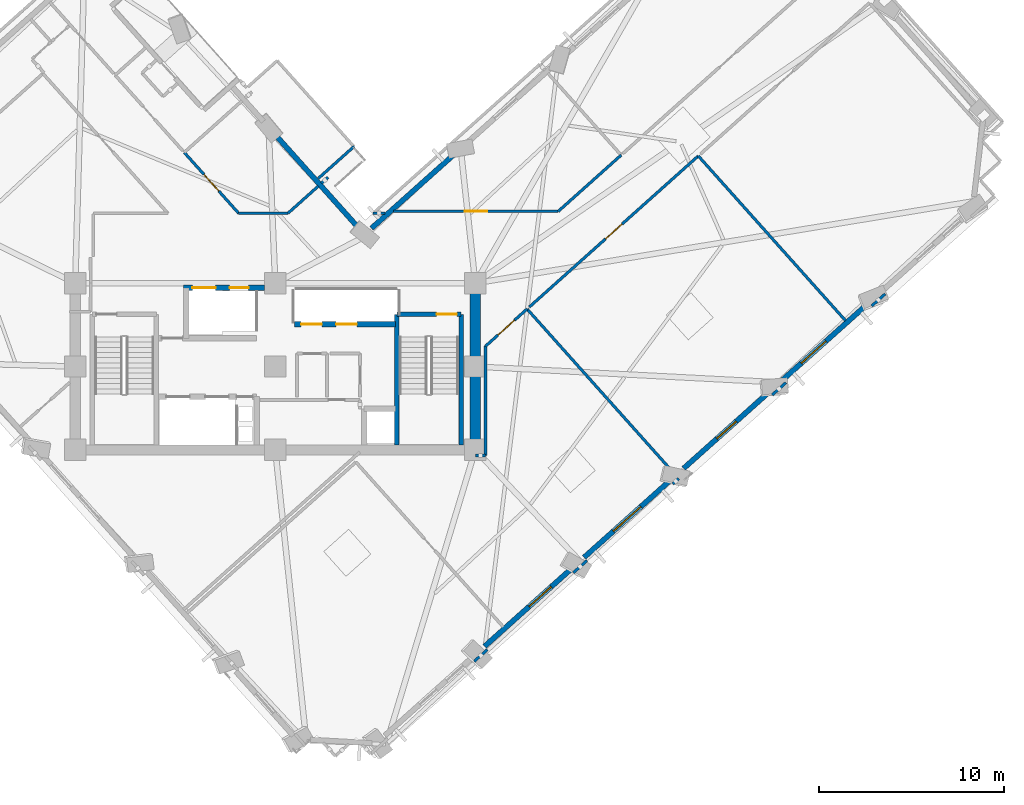
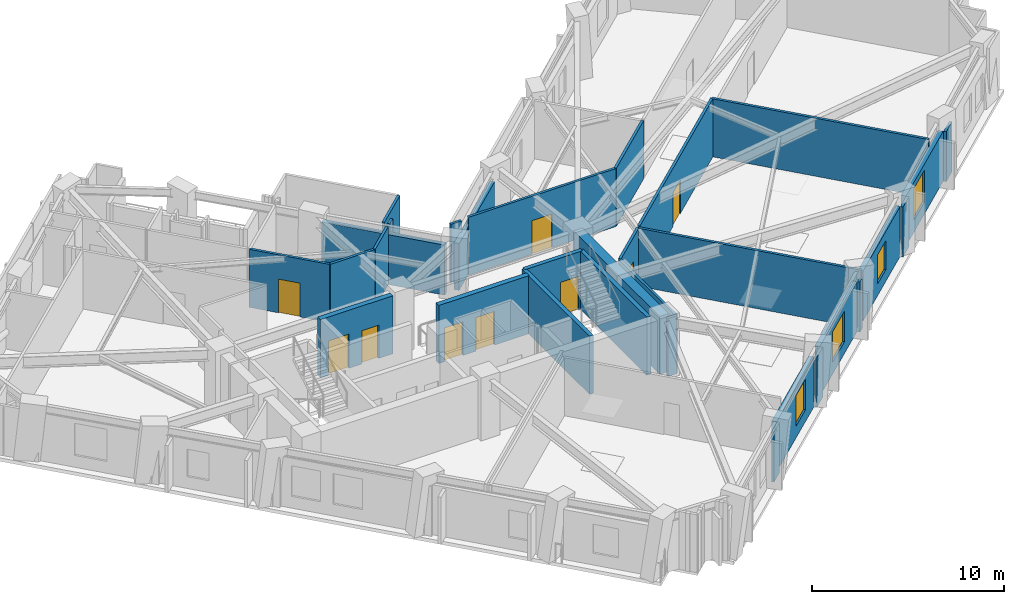
# One storey, part 7 of 14: 31 walls, 9 doors, 4 windows, 13 openings.
"""IFC4 building model written with IfcOpenShell, lengths in metres."""

from ifc_helpers import new_model, si_unit, direction, frame, frame_2d, origin, place, context, subcontext, project, spatial, rectangle, extrude, material, layer, layer_set, type_object, element, fill, save


model = new_model("IFC4")

# Units and contexts
model_context = context("Model", 3, precision=1e-05, world=origin(), true_north=direction((0.0, 1.0)))
body_context = subcontext(model_context, "Body", "Model", "MODEL_VIEW")
ifc_project = project(units=[si_unit("LENGTHUNIT", "METRE"), si_unit("AREAUNIT", "SQUARE_METRE"), si_unit("VOLUMEUNIT", "CUBIC_METRE"), si_unit("PLANEANGLEUNIT", "RADIAN"), si_unit("MASSUNIT", "GRAM", prefix="KILO")], contexts=[model_context])

# Site, building, storey
site_placement = place(None, origin())
site = spatial("IfcSite", under=ifc_project, at=site_placement, CompositionType="ELEMENT")
building_placement = place(site_placement, origin())
building = spatial("IfcBuilding", under=site, at=building_placement, Name="Gaonmaruhae Medical Tower", CompositionType="ELEMENT")
storey_placement = place(building_placement, frame((0.0, 0.0, 201.800048828125)))
storey = spatial("IfcBuildingStorey", under=building, at=storey_placement, Name="L48", CompositionType="ELEMENT", Elevation=201.800048828125)

# Wall
ifc_material_1 = material(Name="Concrete C50/60", Category="concrete")
ifc_layer_1 = layer(ifc_material_1, 0.550048828125)
ifc_layer_set_1 = layer_set([ifc_layer_1], Name="Concrete C50/60")
wall_type_1 = type_object("IfcWallType", Name="CW-550 Mid-High Core Shear Wall", PredefinedType="SHEAR", material=ifc_layer_set_1)
wall_1_placement = place(storey_placement, frame((35.60009765625, 7.800048828125, 0.0), z_axis=(0.0, 0.0, 1.0), x_axis=(0.0, 1.0, 0.0)))
element("IfcWall", 1, at=wall_1_placement, inside=storey, type_object=wall_type_1, Name="L48 Core Shear Wall CSW-E1", PredefinedType="SHEAR", context=body_context, shape_type="SweptSolid", body=[
    extrude(rectangle(XDim=9.0, YDim=0.550048828125, at=frame_2d((4.5, 0.0))), origin(), (0.0, 0.0, 1.0), 3.699951171875),
])

# Wall, opening, window
ifc_material_2 = material(Name="Precast concrete C45/55", Category="concrete")
ifc_layer_2 = layer(ifc_material_2, 0.280029296875)
ifc_layer_set_2 = layer_set([ifc_layer_2], Name="Precast concrete C45/55")
wall_type_2 = type_object("IfcWallType", Name="EW-280 Upper Precast Masonry-Frame Facade Wall", PredefinedType="SOLIDWALL", material=ifc_layer_set_2)
wall_2_placement = place(storey_placement, frame((40.748779296875, 1.344970703125, 0.0), z_axis=(0.0, 0.0, 1.0), x_axis=(-0.745478886319, -0.666529241708, 0.0)))
wall_2 = element("IfcWall", 2, at=wall_2_placement, inside=storey, type_object=wall_type_2, Name="L48 Precast Masonry-Frame Wall S02-S03", PredefinedType="SOLIDWALL", context=body_context, shape_type="SweptSolid", body=[
    extrude(rectangle(XDim=6.234130859375, YDim=0.280029296875, at=frame_2d((3.1171875, 0.0))), origin(), (0.0, 0.0, 1.0), 3.18505859375),
])
opening_1_placement = place(wall_2_placement, frame((1.406982421875, 0.0, 0.75)))
opening_1 = element("IfcOpeningElement", 3, at=opening_1_placement, cuts=wall_2, Name="Opening WN-01", PredefinedType="OPENING", context=body_context, shape_type="SweptSolid", body=[
    extrude(rectangle(XDim=1.60009765625, YDim=1.949951171875, at=frame_2d((0.800048828125, 0.97509765625))), frame((0.0, 0.14990234375, 0.0), z_axis=(0.0, -1.0, 0.0), x_axis=(1.0, 0.0, 0.0)), (0.0, 0.0, 1.0), 0.300048828125),
])
ifc_material_3 = material(Name="Anodised aluminium and Low-E double glazing", Category="aluminium")
window_type_1 = type_object("IfcWindowType", Name="WN-01 Ward Punched Acoustic Window 1600x1950", PartitioningType="SINGLE_PANEL", PredefinedType="WINDOW", material=ifc_material_3)
window_1_placement = place(opening_1_placement, origin())
window_1 = element("IfcWindow", 4, at=window_1_placement, inside=storey, type_object=window_type_1, Name="L48 Modular Facade Window S02", OverallHeight=1.949951171875, OverallWidth=1.60009765625, PartitioningType="SINGLE_PANEL", PredefinedType="WINDOW", context=body_context, shape_type="SweptSolid", body=[
    extrude(rectangle(XDim=1.60009765625, YDim=1.949951171875, at=frame_2d((0.800048828125, 0.97509765625))), frame((0.0, 0.030029296875, 0.0), z_axis=(0.0, -1.0, 0.0), x_axis=(1.0, 0.0, 0.0)), (0.0, 0.0, 1.0), 0.06005859375),
])
fill(opening_1, window_1)

wall_3_placement = place(storey_placement, frame((46.111083984375, 6.139404296875, 0.0), z_axis=(0.0, 0.0, 1.0), x_axis=(-0.745487869673, -0.66651919415, 0.0)))
wall_3 = element("IfcWall", 5, at=wall_3_placement, inside=storey, type_object=wall_type_2, Name="L48 Precast Masonry-Frame Wall S03-S04", PredefinedType="SOLIDWALL", context=body_context, shape_type="SweptSolid", body=[
    extrude(rectangle(XDim=6.214111328125, YDim=0.280029296875, at=frame_2d((3.10693359375, 0.0))), origin(), (0.0, 0.0, 1.0), 3.18505859375),
])
opening_2_placement = place(wall_3_placement, frame((2.105712890625, 0.0, 0.75)))
opening_2 = element("IfcOpeningElement", 6, at=opening_2_placement, cuts=wall_3, Name="Opening WN-02", PredefinedType="OPENING", context=body_context, shape_type="SweptSolid", body=[
    extrude(rectangle(XDim=2.0, YDim=1.949951171875, at=frame_2d((1.0, 0.97509765625))), frame((0.0, 0.14990234375, 0.0), z_axis=(0.0, -1.0, 0.0), x_axis=(1.0, 0.0, 0.0)), (0.0, 0.0, 1.0), 0.300048828125),
])
window_type_2 = type_object("IfcWindowType", Name="WN-02 Double-Bed Ward Punched Window 2000x1950", PartitioningType="SINGLE_PANEL", PredefinedType="WINDOW", material=ifc_material_3)
window_2_placement = place(opening_2_placement, origin())
window_2 = element("IfcWindow", 7, at=window_2_placement, inside=storey, type_object=window_type_2, Name="L48 Modular Facade Window S03", OverallHeight=1.949951171875, OverallWidth=2.0, PartitioningType="SINGLE_PANEL", PredefinedType="WINDOW", context=body_context, shape_type="SweptSolid", body=[
    extrude(rectangle(XDim=2.0, YDim=1.949951171875, at=frame_2d((1.0, 0.97509765625))), frame((0.0, 0.030029296875, 0.0), z_axis=(0.0, -1.0, 0.0), x_axis=(1.0, 0.0, 0.0)), (0.0, 0.0, 1.0), 0.06005859375),
])
fill(opening_2, window_2)

wall_4_placement = place(storey_placement, frame((51.47900390625, 10.93896484375, 0.0), z_axis=(0.0, 0.0, 1.0), x_axis=(-0.74547983873, -0.666528176484, 0.0)))
wall_4 = element("IfcWall", 8, at=wall_4_placement, inside=storey, type_object=wall_type_2, Name="L48 Precast Masonry-Frame Wall S04-S05", PredefinedType="SOLIDWALL", context=body_context, shape_type="SweptSolid", body=[
    extrude(rectangle(XDim=6.209228515625, YDim=0.280029296875, at=frame_2d((3.1044921875, 0.0))), origin(), (0.0, 0.0, 1.0), 3.18505859375),
])
opening_3_placement = place(wall_4_placement, frame((2.40478515625, 0.0, 0.75)))
opening_3 = element("IfcOpeningElement", 9, at=opening_3_placement, cuts=wall_4, Name="Opening WN-03", PredefinedType="OPENING", context=body_context, shape_type="SweptSolid", body=[
    extrude(rectangle(XDim=1.39990234375, YDim=1.85009765625, at=frame_2d((0.699951171875, 0.925048828125))), frame((0.0, 0.14990234375, 0.0), z_axis=(0.0, -1.0, 0.0), x_axis=(1.0, 0.0, 0.0)), (0.0, 0.0, 1.0), 0.300048828125),
])
window_type_3 = type_object("IfcWindowType", Name="WN-03 Isolation Ward Punched Window 1400x1850", PartitioningType="SINGLE_PANEL", PredefinedType="WINDOW", material=ifc_material_3)
window_3_placement = place(opening_3_placement, origin())
window_3 = element("IfcWindow", 10, at=window_3_placement, inside=storey, type_object=window_type_3, Name="L48 Modular Facade Window S04", OverallHeight=1.85009765625, OverallWidth=1.39990234375, PartitioningType="SINGLE_PANEL", PredefinedType="WINDOW", context=body_context, shape_type="SweptSolid", body=[
    extrude(rectangle(XDim=1.39990234375, YDim=1.85009765625, at=frame_2d((0.699951171875, 0.925048828125))), frame((0.0, 0.030029296875, 0.0), z_axis=(0.0, -1.0, 0.0), x_axis=(1.0, 0.0, 0.0)), (0.0, 0.0, 1.0), 0.06005859375),
])
fill(opening_3, window_3)

wall_5_placement = place(storey_placement, frame((56.85205078125, 15.7431640625, 0.0), z_axis=(0.0, 0.0, 1.0), x_axis=(-0.745463071049, -0.666546929857, 0.0)))
wall_5 = element("IfcWall", 11, at=wall_5_placement, inside=storey, type_object=wall_type_2, Name="L48 Precast Masonry-Frame Wall S05-S06", PredefinedType="SOLIDWALL", context=body_context, shape_type="SweptSolid", body=[
    extrude(rectangle(XDim=6.21826171875, YDim=0.280029296875, at=frame_2d((3.109130859375, 0.0))), origin(), (0.0, 0.0, 1.0), 3.18505859375),
])
opening_4_placement = place(wall_5_placement, frame((3.10498046875, 0.0, 0.75)))
opening_4 = element("IfcOpeningElement", 12, at=opening_4_placement, cuts=wall_5, Name="Opening WN-04", PredefinedType="OPENING", context=body_context, shape_type="SweptSolid", body=[
    extrude(rectangle(XDim=1.800048828125, YDim=2.050048828125, at=frame_2d((0.89990234375, 1.02490234375))), frame((0.0, 0.14990234375, 0.0), z_axis=(0.0, -1.0, 0.0), x_axis=(1.0, 0.0, 0.0)), (0.0, 0.0, 1.0), 0.300048828125),
])
window_type_4 = type_object("IfcWindowType", Name="WN-04 Clinic & Consult Punched Window 1800x2050", PartitioningType="SINGLE_PANEL", PredefinedType="WINDOW", material=ifc_material_3)
window_4_placement = place(opening_4_placement, origin())
window_4 = element("IfcWindow", 13, at=window_4_placement, inside=storey, type_object=window_type_4, Name="L48 Modular Facade Window S05", OverallHeight=2.050048828125, OverallWidth=1.800048828125, PartitioningType="SINGLE_PANEL", PredefinedType="WINDOW", context=body_context, shape_type="SweptSolid", body=[
    extrude(rectangle(XDim=1.800048828125, YDim=2.050048828125, at=frame_2d((0.89990234375, 1.02490234375))), frame((0.0, 0.030029296875, 0.0), z_axis=(0.0, -1.0, 0.0), x_axis=(1.0, 0.0, 0.0)), (0.0, 0.0, 1.0), 0.06005859375),
])
fill(opening_4, window_4)

# Walls
wall_6_placement = place(storey_placement, frame((29.993408203125, 19.764404296875, 0.0), z_axis=(0.0, 0.0, 1.0), x_axis=(0.745473758076, 0.666534977341, 0.0)))
element("IfcWall", 14, at=wall_6_placement, inside=storey, type_object=wall_type_2, Name="L48 Precast Masonry-Frame Wall EN03-KN01", PredefinedType="SOLIDWALL", context=body_context, shape_type="SweptSolid", body=[
    extrude(rectangle(XDim=5.959716796875, YDim=0.280029296875, at=frame_2d((2.97998046875, 0.0))), origin(), (0.0, 0.0, 1.0), 2.98486328125),
])
wall_7_placement = place(storey_placement, frame((29.322509765625, 19.757080078125, 0.0), z_axis=(0.0, 0.0, 1.0), x_axis=(-0.666530903335, 0.745477400663, 0.0)))
element("IfcWall", 15, at=wall_7_placement, inside=storey, type_object=wall_type_2, Name="L48 Precast Masonry-Frame Wall KN01-NE01", PredefinedType="SOLIDWALL", context=body_context, shape_type="SweptSolid", body=[
    extrude(rectangle(XDim=6.76025390625, YDim=0.280029296875, at=frame_2d((3.380126953125, 0.0))), origin(), (0.0, 0.0, 1.0), 3.18505859375),
])
ifc_material_4 = material(Name="Gypsum board partition", Category="gypsum")
ifc_layer_3 = layer(ifc_material_4, 0.14990234375)
ifc_layer_set_3 = layer_set([ifc_layer_3], Name="Gypsum board partition")
wall_type_3 = type_object("IfcWallType", Name="PW-150 Rated Clinical Corridor Partition", PredefinedType="PARTITIONING", material=ifc_layer_set_3)
wall_8_placement = place(storey_placement, frame((36.2548828125, -2.98193359375, 0.0), z_axis=(0.0, 0.0, 1.0), x_axis=(-0.745864843194, -0.666097316979, 0.0)))
element("IfcWall", 16, at=wall_8_placement, inside=storey, type_object=wall_type_3, Name="L48 Interior Partition L48-SUP01-13", PredefinedType="PARTITIONING", context=body_context, shape_type="SweptSolid", body=[
    extrude(rectangle(XDim=0.951904296875, YDim=0.14990234375, at=frame_2d((0.47607421875, 0.0))), origin(), (0.0, 0.0, 1.0), 3.18505859375),
])

# Wall, opening, door
wall_9_placement = place(storey_placement, frame((36.14990234375, 13.39697265625, 0.0), z_axis=(0.0, 0.0, 1.0), x_axis=(0.745328141311, 0.666697803934, 0.0)))
wall_9 = element("IfcWall", 17, at=wall_9_placement, inside=storey, type_object=wall_type_3, Name="L48 Interior Partition L48-SUP02-17", PredefinedType="PARTITIONING", context=body_context, shape_type="SweptSolid", body=[
    extrude(rectangle(XDim=3.014892578125, YDim=0.14990234375, at=frame_2d((1.50732421875, 0.0))), origin(), (0.0, 0.0, 1.0), 3.699951171875),
])
opening_5_placement = place(wall_9_placement, frame((0.907470703125, 0.0, 0.0)))
opening_5 = element("IfcOpeningElement", 18, at=opening_5_placement, cuts=wall_9, Name="Opening CD-02", PredefinedType="OPENING", context=body_context, shape_type="SweptSolid", body=[
    extrude(rectangle(XDim=1.199951171875, YDim=2.14990234375, at=frame_2d((0.60009765625, 1.074951171875))), frame((0.0, 0.0849609375, 0.0), z_axis=(0.0, -1.0, 0.0), x_axis=(1.0, 0.0, 0.0)), (0.0, 0.0, 1.0), 0.169921875),
])
ifc_material_5 = material(Name="Antimicrobial laminate timber fire door", Category="wood")
door_type_1 = type_object("IfcDoorType", Name="CD-02 Clinical Treatment & Procedure Door 1200x2150", OperationType="NOTDEFINED", PredefinedType="DOOR", material=ifc_material_5)
door_1_placement = place(opening_5_placement, origin())
door_1 = element("IfcDoor", 19, at=door_1_placement, inside=storey, type_object=door_type_1, Name="L48 Clinical Biomedical Charting Office Door", OperationType="SINGLE_SWING_LEFT", OverallHeight=2.14990234375, OverallWidth=1.199951171875, PredefinedType="DOOR", context=body_context, shape_type="SweptSolid", body=[
    extrude(rectangle(XDim=1.199951171875, YDim=2.14990234375, at=frame_2d((0.60009765625, 1.074951171875))), frame((0.0, 0.02490234375, 0.0), z_axis=(0.0, -1.0, 0.0), x_axis=(1.0, 0.0, 0.0)), (0.0, 0.0, 1.0), 0.050048828125),
])
fill(opening_5, door_1)

# Walls
wall_10_placement = place(storey_placement, frame((38.39697265625, 15.406982421875, 0.0), z_axis=(0.0, 0.0, 1.0), x_axis=(0.666510643465, -0.745495514505, 0.0)))
element("IfcWall", 20, at=wall_10_placement, inside=storey, type_object=wall_type_3, Name="L48 Interior Partition L48-SUP02-18", PredefinedType="PARTITIONING", context=body_context, shape_type="SweptSolid", body=[
    extrude(rectangle(XDim=12.280517578125, YDim=0.14990234375, at=frame_2d((6.14013671875, 0.0))), origin(), (0.0, 0.0, 1.0), 3.699951171875),
])
wall_11_placement = place(storey_placement, frame((46.58203125, 6.251953125, 0.0), z_axis=(0.0, 0.0, 1.0), x_axis=(-0.746049400441, -0.665890600701, 0.0)))
element("IfcWall", 21, at=wall_11_placement, inside=storey, type_object=wall_type_3, Name="L48 Interior Partition L48-SUP02-19", PredefinedType="PARTITIONING", context=body_context, shape_type="SweptSolid", body=[
    extrude(rectangle(XDim=0.426513671875, YDim=0.14990234375, at=frame_2d((0.21337890625, 0.0))), origin(), (0.0, 0.0, 1.0), 3.18505859375),
])
wall_12_placement = place(storey_placement, frame((41.632080078125, 1.825927734375, 0.0), z_axis=(0.0, 0.0, 1.0), x_axis=(-0.745893397616, -0.666065341684, 0.0)))
element("IfcWall", 22, at=wall_12_placement, inside=storey, type_object=wall_type_3, Name="L48 Interior Partition L48-SUP02-20", PredefinedType="PARTITIONING", context=body_context, shape_type="SweptSolid", body=[
    extrude(rectangle(XDim=0.978759765625, YDim=0.14990234375, at=frame_2d((0.4892578125, 0.0))), origin(), (0.0, 0.0, 1.0), 3.18505859375),
])
wall_13_placement = place(storey_placement, frame((35.60009765625, 7.5, 0.0), z_axis=(0.0, 0.0, 1.0), x_axis=(1.0, 0.0, 0.0)))
element("IfcWall", 23, at=wall_13_placement, inside=storey, type_object=wall_type_3, Name="L48 Interior Partition L48-SUP02-21", PredefinedType="PARTITIONING", context=body_context, shape_type="SweptSolid", body=[
    extrude(rectangle(XDim=0.5498046875, YDim=0.14990234375, at=frame_2d((0.27490234375, 0.0))), origin(), (0.0, 0.0, 1.0), 3.699951171875),
])
wall_14_placement = place(storey_placement, frame((36.14990234375, 7.5, 0.0), z_axis=(0.0, 0.0, 1.0), x_axis=(0.0, 1.0, 0.0)))
element("IfcWall", 24, at=wall_14_placement, inside=storey, type_object=wall_type_3, Name="L48 Interior Partition L48-SUP02-22", PredefinedType="PARTITIONING", context=body_context, shape_type="SweptSolid", body=[
    extrude(rectangle(XDim=5.89697265625, YDim=0.14990234375, at=frame_2d((2.948486328125, 0.0))), origin(), (0.0, 0.0, 1.0), 3.699951171875),
])

# Wall, opening, door
wall_15_placement = place(storey_placement, frame((38.51611328125, 15.512939453125, 0.0), z_axis=(0.0, 0.0, 1.0), x_axis=(0.745456187518, 0.666554628287, 0.0)))
wall_15 = element("IfcWall", 25, at=wall_15_placement, inside=storey, type_object=wall_type_3, Name="L48 Interior Partition L48-SUP03-23", PredefinedType="PARTITIONING", context=body_context, shape_type="SweptSolid", body=[
    extrude(rectangle(XDim=12.24072265625, YDim=0.14990234375, at=frame_2d((6.120361328125, 0.0))), origin(), (0.0, 0.0, 1.0), 3.699951171875),
])
opening_6_placement = place(wall_15_placement, frame((5.5205078125, 0.0, 0.0)))
opening_6 = element("IfcOpeningElement", 26, at=opening_6_placement, cuts=wall_15, Name="Opening CD-02", PredefinedType="OPENING", context=body_context, shape_type="SweptSolid", body=[
    extrude(rectangle(XDim=1.199951171875, YDim=2.14990234375, at=frame_2d((0.60009765625, 1.074951171875))), frame((0.0, 0.0849609375, 0.0), z_axis=(0.0, -1.0, 0.0), x_axis=(1.0, 0.0, 0.0)), (0.0, 0.0, 1.0), 0.169921875),
])
door_2_placement = place(opening_6_placement, origin())
door_2 = element("IfcDoor", 27, at=door_2_placement, inside=storey, type_object=door_type_1, Name="L48 Clinical Biomedical Charting Office Door", OperationType="SINGLE_SWING_RIGHT", OverallHeight=2.14990234375, OverallWidth=1.199951171875, PredefinedType="DOOR", context=body_context, shape_type="SweptSolid", body=[
    extrude(rectangle(XDim=1.199951171875, YDim=2.14990234375, at=frame_2d((0.60009765625, 1.074951171875))), frame((0.0, 0.02490234375, 0.0), z_axis=(0.0, -1.0, 0.0), x_axis=(1.0, 0.0, 0.0)), (0.0, 0.0, 1.0), 0.050048828125),
])
fill(opening_6, door_2)

# Walls
wall_16_placement = place(storey_placement, frame((47.64111328125, 23.672119140625, 0.0), z_axis=(0.0, 0.0, 1.0), x_axis=(0.666482690368, -0.745520505043, 0.0)))
element("IfcWall", 28, at=wall_16_placement, inside=storey, type_object=wall_type_3, Name="L48 Interior Partition L48-SUP03-24", PredefinedType="PARTITIONING", context=body_context, shape_type="SweptSolid", body=[
    extrude(rectangle(XDim=11.935546875, YDim=0.14990234375, at=frame_2d((5.9677734375, 0.0))), origin(), (0.0, 0.0, 1.0), 3.699951171875),
])
wall_17_placement = place(storey_placement, frame((52.3701171875, 11.427001953125, 0.0), z_axis=(0.0, 0.0, 1.0), x_axis=(-0.745950796246, -0.666001058243, 0.0)))
element("IfcWall", 29, at=wall_17_placement, inside=storey, type_object=wall_type_3, Name="L48 Interior Partition L48-SUP03-25", PredefinedType="PARTITIONING", context=body_context, shape_type="SweptSolid", body=[
    extrude(rectangle(XDim=0.989501953125, YDim=0.14990234375, at=frame_2d((0.49462890625, 0.0))), origin(), (0.0, 0.0, 1.0), 3.18505859375),
])
wall_18_placement = place(storey_placement, frame((57.73095703125, 16.219970703125, 0.0), z_axis=(0.0, 0.0, 1.0), x_axis=(-0.746106787817, -0.665826299551, 0.0)))
element("IfcWall", 30, at=wall_18_placement, inside=storey, type_object=wall_type_3, Name="L48 Interior Partition L48-SUP04-27", PredefinedType="PARTITIONING", context=body_context, shape_type="SweptSolid", body=[
    extrude(rectangle(XDim=0.97314453125, YDim=0.14990234375, at=frame_2d((0.486572265625, 0.0))), origin(), (0.0, 0.0, 1.0), 3.18505859375),
])
wall_19_placement = place(storey_placement, frame((30.73291015625, 20.580078125, 0.0), z_axis=(0.0, 0.0, 1.0), x_axis=(-1.0, 0.0, 0.0)))
element("IfcWall", 31, at=wall_19_placement, inside=storey, type_object=wall_type_3, Name="L48 Interior Partition L48-IE01-47", PredefinedType="PARTITIONING", context=body_context, shape_type="SweptSolid", body=[
    extrude(rectangle(XDim=0.65283203125, YDim=0.14990234375, at=frame_2d((0.326416015625, 0.0))), origin(), (0.0, 0.0, 1.0), 3.699951171875),
])
wall_20_placement = place(storey_placement, frame((43.47607421875, 23.717041015625, 0.0), z_axis=(0.0, 0.0, 1.0), x_axis=(-0.745490689722, -0.66651603997, 0.0)))
element("IfcWall", 32, at=wall_20_placement, inside=storey, type_object=wall_type_3, Name="L48 Interior Partition L48-IE01-51", PredefinedType="PARTITIONING", context=body_context, shape_type="SweptSolid", body=[
    extrude(rectangle(XDim=4.556640625, YDim=0.14990234375, at=frame_2d((2.2783203125, 0.0))), origin(), (0.0, 0.0, 1.0), 3.699951171875),
])

# Wall, opening, door
wall_21_placement = place(storey_placement, frame((40.0791015625, 20.679931640625, 0.0), z_axis=(0.0, 0.0, 1.0), x_axis=(-1.0, 0.0, 0.0)))
wall_21 = element("IfcWall", 33, at=wall_21_placement, inside=storey, type_object=wall_type_3, Name="L48 Interior Partition L48-IE01-52", PredefinedType="PARTITIONING", context=body_context, shape_type="SweptSolid", body=[
    extrude(rectangle(XDim=8.882080078125, YDim=0.14990234375, at=frame_2d((4.44091796875, 0.0))), origin(), (0.0, 0.0, 1.0), 3.699951171875),
])
opening_7_placement = place(wall_21_placement, frame((3.841064453125, 0.0, 0.0)))
opening_7 = element("IfcOpeningElement", 34, at=opening_7_placement, cuts=wall_21, Name="Opening CD-02", PredefinedType="OPENING", context=body_context, shape_type="SweptSolid", body=[
    extrude(rectangle(XDim=1.199951171875, YDim=2.14990234375, at=frame_2d((0.60009765625, 1.074951171875))), frame((0.0, 0.0849609375, 0.0), z_axis=(0.0, -1.0, 0.0), x_axis=(1.0, 0.0, 0.0)), (0.0, 0.0, 1.0), 0.169921875),
])
door_3_placement = place(opening_7_placement, origin())
door_3 = element("IfcDoor", 35, at=door_3_placement, inside=storey, type_object=door_type_1, Name="L48 Central Clinical Nurse Station Door", OperationType="SINGLE_SWING_RIGHT", OverallHeight=2.14990234375, OverallWidth=1.199951171875, PredefinedType="DOOR", context=body_context, shape_type="SweptSolid", body=[
    extrude(rectangle(XDim=1.199951171875, YDim=2.14990234375, at=frame_2d((0.60009765625, 1.074951171875))), frame((0.0, 0.02490234375, 0.0), z_axis=(0.0, -1.0, 0.0), x_axis=(1.0, 0.0, 0.0)), (0.0, 0.0, 1.0), 0.050048828125),
])
fill(opening_7, door_3)

# Walls
wall_22_placement = place(storey_placement, frame((27.657958984375, 22.51904296875, 0.0), z_axis=(0.0, 0.0, 1.0), x_axis=(-0.746214363491, -0.665705733579, 0.0)))
element("IfcWall", 36, at=wall_22_placement, inside=storey, type_object=wall_type_3, Name="L48 Interior Partition L48-IN01-62", PredefinedType="PARTITIONING", context=body_context, shape_type="SweptSolid", body=[
    extrude(rectangle(XDim=0.485107421875, YDim=0.14990234375, at=frame_2d((0.24267578125, 0.0))), origin(), (0.0, 0.0, 1.0), 3.699951171875),
])
wall_23_placement = place(storey_placement, frame((27.125, 22.0419921875, 0.0), z_axis=(0.0, 0.0, 1.0), x_axis=(-0.745465439353, -0.666544281148, 0.0)))
element("IfcWall", 37, at=wall_23_placement, inside=storey, type_object=wall_type_3, Name="L48 Interior Partition L48-IN01-63", PredefinedType="PARTITIONING", context=body_context, shape_type="SweptSolid", body=[
    extrude(rectangle(XDim=2.193359375, YDim=0.14990234375, at=frame_2d((1.0966796875, 0.0))), origin(), (0.0, 0.0, 1.0), 3.699951171875),
])
wall_24_placement = place(storey_placement, frame((25.489990234375, 20.580078125, 0.0), z_axis=(0.0, 0.0, 1.0), x_axis=(-1.0, 0.0, 0.0)))
element("IfcWall", 38, at=wall_24_placement, inside=storey, type_object=wall_type_3, Name="L48 Interior Partition L48-IN01-64", PredefinedType="PARTITIONING", context=body_context, shape_type="SweptSolid", body=[
    extrude(rectangle(XDim=2.6708984375, YDim=0.14990234375, at=frame_2d((1.33544921875, 0.0))), origin(), (0.0, 0.0, 1.0), 3.699951171875),
])

# Wall, opening, door
wall_25_placement = place(storey_placement, frame((22.819091796875, 20.580078125, 0.0), z_axis=(0.0, 0.0, 1.0), x_axis=(-0.66658561557, 0.745428478873, 0.0)))
wall_25 = element("IfcWall", 39, at=wall_25_placement, inside=storey, type_object=wall_type_3, Name="L48 Interior Partition L48-IN01-65", PredefinedType="PARTITIONING", context=body_context, shape_type="SweptSolid", body=[
    extrude(rectangle(XDim=4.400146484375, YDim=0.14990234375, at=frame_2d((2.2001953125, 0.0))), origin(), (0.0, 0.0, 1.0), 3.699951171875),
])
opening_8_placement = place(wall_25_placement, frame((1.60009765625, 0.0, 0.0)))
opening_8 = element("IfcOpeningElement", 40, at=opening_8_placement, cuts=wall_25, Name="Opening CD-02", PredefinedType="OPENING", context=body_context, shape_type="SweptSolid", body=[
    extrude(rectangle(XDim=1.199951171875, YDim=2.14990234375, at=frame_2d((0.60009765625, 1.074951171875))), frame((0.0, 0.0849609375, 0.0), z_axis=(0.0, -1.0, 0.0), x_axis=(1.0, 0.0, 0.0)), (0.0, 0.0, 1.0), 0.169921875),
])
door_4_placement = place(opening_8_placement, origin())
door_4 = element("IfcDoor", 41, at=door_4_placement, inside=storey, type_object=door_type_1, Name="L48 Physician Consultation Office Door", OperationType="SINGLE_SWING_RIGHT", OverallHeight=2.14990234375, OverallWidth=1.199951171875, PredefinedType="DOOR", context=body_context, shape_type="SweptSolid", body=[
    extrude(rectangle(XDim=1.199951171875, YDim=2.14990234375, at=frame_2d((0.60009765625, 1.074951171875))), frame((0.0, 0.02490234375, 0.0), z_axis=(0.0, -1.0, 0.0), x_axis=(1.0, 0.0, 0.0)), (0.0, 0.0, 1.0), 0.050048828125),
])
fill(opening_8, door_4)

# Wall
wall_26_placement = place(storey_placement, frame((29.053955078125, 24.18310546875, 0.0), z_axis=(0.0, 0.0, 1.0), x_axis=(-0.745376933281, -0.666643253422, 0.0)))
element("IfcWall", 42, at=wall_26_placement, inside=storey, type_object=wall_type_3, Name="L48 Interior Partition L48-RM04-84", PredefinedType="PARTITIONING", context=body_context, shape_type="SweptSolid", body=[
    extrude(rectangle(XDim=2.589111328125, YDim=0.14990234375, at=frame_2d((1.29443359375, 0.0))), origin(), (0.0, 0.0, 1.0), 3.699951171875),
])

# Wall, opening, door
ifc_layer_4 = layer(ifc_material_1, 0.239990234375)
ifc_layer_set_4 = layer_set([ifc_layer_4], Name="Concrete C50/60")
wall_type_4 = type_object("IfcWallType", Name="SW-240 Dogleg Stair Tight Shaft Wall", PredefinedType="SOLIDWALL", material=ifc_layer_set_4)
wall_27_placement = place(storey_placement, frame((31.3701171875, 15.1201171875, 0.0), z_axis=(0.0, 0.0, 1.0), x_axis=(1.0, 0.0, 0.0)))
wall_27 = element("IfcWall", 43, at=wall_27_placement, inside=storey, type_object=wall_type_4, Name="L48 ST-02 Stair Shaft Wall SHW-ST-02-N", PredefinedType="SOLIDWALL", context=body_context, shape_type="SweptSolid", body=[
    extrude(rectangle(XDim=3.4599609375, YDim=0.239990234375, at=frame_2d((1.72998046875, 0.0))), origin(), (0.0, 0.0, 1.0), 3.699951171875),
])
opening_9_placement = place(wall_27_placement, frame((2.139892578125, 0.0, 0.0)))
opening_9 = element("IfcOpeningElement", 44, at=opening_9_placement, cuts=wall_27, Name="Opening FD-01", PredefinedType="OPENING", context=body_context, shape_type="SweptSolid", body=[
    extrude(rectangle(XDim=1.10009765625, YDim=2.14990234375, at=frame_2d((0.550048828125, 1.074951171875))), frame((0.0, 0.1298828125, 0.0), z_axis=(0.0, -1.0, 0.0), x_axis=(1.0, 0.0, 0.0)), (0.0, 0.0, 1.0), 0.260009765625),
])
ifc_material_6 = material(Name="Powder-coated steel fire door", Category="steel")
door_type_2 = type_object("IfcDoorType", Name="FD-01 Escape Stair Protected Fire Door 1100x2150", OperationType="NOTDEFINED", PredefinedType="DOOR", material=ifc_material_6)
door_5_placement = place(opening_9_placement, origin())
door_5 = element("IfcDoor", 45, at=door_5_placement, inside=storey, type_object=door_type_2, Name="L48 ST-02 Protected Escape Stair Door", OperationType="SINGLE_SWING_LEFT", OverallHeight=2.14990234375, OverallWidth=1.10009765625, PredefinedType="DOOR", context=body_context, shape_type="SweptSolid", body=[
    extrude(rectangle(XDim=1.10009765625, YDim=2.14990234375, at=frame_2d((0.550048828125, 1.074951171875))), frame((0.0, 0.02490234375, 0.0), z_axis=(0.0, -1.0, 0.0), x_axis=(1.0, 0.0, 0.0)), (0.0, 0.0, 1.0), 0.050048828125),
])
fill(opening_9, door_5)

# Walls
for number, where, z_axis, x_axis, name in (
    (46, (34.830078125, 15.1201171875, 0.0), (0.0, 0.0, 1.0), (0.0, -1.0, 0.0), "L48 ST-02 Stair Shaft Wall SHW-ST-02-E"),
    (47, (31.3701171875, 8.074951171875, 0.0), (0.0, 0.0, 1.0), (0.0, 1.0, 0.0), "L48 ST-02 Stair Shaft Wall SHW-ST-02-W"),
):
    element("IfcWall", number, at=place(storey_placement, frame(where, z_axis=z_axis, x_axis=x_axis)), inside=storey, type_object=wall_type_4, Name=name, PredefinedType="SOLIDWALL", context=body_context, shape_type="SweptSolid", body=[
        extrude(rectangle(XDim=7.045166015625, YDim=0.239990234375, at=frame_2d((3.5224609375, 0.0))), origin(), (0.0, 0.0, 1.0), 3.699951171875),
    ])

# Wall, openings, doors
ifc_layer_5 = layer(ifc_material_1, 0.300048828125)
ifc_layer_set_5 = layer_set([ifc_layer_5], Name="Concrete C50/60")
wall_type_5 = type_object("IfcWallType", Name="SW-300 Stair & Lift Hoistway Shaft Wall", PredefinedType="SOLIDWALL", material=ifc_layer_set_5)
wall_28_placement = place(storey_placement, frame((19.85009765625, 16.550048828125, 0.0), z_axis=(0.0, 0.0, 1.0), x_axis=(1.0, 0.0, 0.0)))
wall_28 = element("IfcWall", 48, at=wall_28_placement, inside=storey, type_object=wall_type_5, Name="L48 Core Shear Wall CSW-NB", PredefinedType="SOLIDWALL", context=body_context, shape_type="SweptSolid", body=[
    extrude(rectangle(XDim=4.375, YDim=0.300048828125, at=frame_2d((2.1875, 0.0))), origin(), (0.0, 0.0, 1.0), 3.699951171875),
])
opening_10_placement = place(wall_28_placement, frame((0.47509765625, 0.0, 0.0)))
opening_10 = element("IfcOpeningElement", 49, at=opening_10_placement, cuts=wall_28, Name="Opening LD-F1", PredefinedType="OPENING", context=body_context, shape_type="SweptSolid", body=[
    extrude(rectangle(XDim=1.25, YDim=2.179931640625, at=frame_2d((0.625, 1.08984375))), frame((0.0, 0.16015625, 0.0), z_axis=(0.0, -1.0, 0.0), x_axis=(1.0, 0.0, 0.0)), (0.0, 0.0, 1.0), 0.320068359375),
])
opening_11_placement = place(wall_28_placement, frame((2.489990234375, 0.0, 0.0)))
opening_11 = element("IfcOpeningElement", 50, at=opening_11_placement, cuts=wall_28, Name="Opening LD-S1", PredefinedType="OPENING", context=body_context, shape_type="SweptSolid", body=[
    extrude(rectangle(XDim=1.02001953125, YDim=2.1201171875, at=frame_2d((0.510009765625, 1.06005859375))), frame((0.0, 0.16015625, 0.0), z_axis=(0.0, -1.0, 0.0), x_axis=(1.0, 0.0, 0.0)), (0.0, 0.0, 1.0), 0.320068359375),
])
ifc_material_7 = material(Name="Brushed stainless steel 316L landing door", Category="steel")
door_type_3 = type_object("IfcDoorType", Name="LD-F1 Firefighting & Bed Lift Sliding Landing Door 1250x2180", OperationType="NOTDEFINED", PredefinedType="DOOR", material=ifc_material_7)
door_6_placement = place(opening_10_placement, origin())
door_6 = element("IfcDoor", 51, at=door_6_placement, inside=storey, type_object=door_type_3, Name="L48 Service/Bed Lift Landing Door BDL-01", OperationType="DOUBLE_DOOR_SLIDING", OverallHeight=2.179931640625, OverallWidth=1.25, PredefinedType="DOOR", context=body_context, shape_type="SweptSolid", body=[
    extrude(rectangle(XDim=1.25, YDim=2.179931640625, at=frame_2d((0.625, 1.08984375))), frame((0.0, 0.02490234375, 0.0), z_axis=(0.0, -1.0, 0.0), x_axis=(1.0, 0.0, 0.0)), (0.0, 0.0, 1.0), 0.050048828125),
])
fill(opening_10, door_6)
ifc_material_8 = material(Name="Brushed stainless steel 304 landing door", Category="steel")
door_type_4 = type_object("IfcDoorType", Name="LD-S1 Service Lift Sliding Landing Door 1020x2120", OperationType="NOTDEFINED", PredefinedType="DOOR", material=ifc_material_8)
door_7_placement = place(opening_11_placement, origin())
door_7 = element("IfcDoor", 52, at=door_7_placement, inside=storey, type_object=door_type_4, Name="L48 Service/Bed Lift Landing Door SVL-01", OperationType="SLIDING_TO_LEFT", OverallHeight=2.1201171875, OverallWidth=1.02001953125, PredefinedType="DOOR", context=body_context, shape_type="SweptSolid", body=[
    extrude(rectangle(XDim=1.02001953125, YDim=2.1201171875, at=frame_2d((0.510009765625, 1.06005859375))), frame((0.0, 0.02490234375, 0.0), z_axis=(0.0, -1.0, 0.0), x_axis=(1.0, 0.0, 0.0)), (0.0, 0.0, 1.0), 0.050048828125),
])
fill(opening_11, door_7)

wall_29_placement = place(storey_placement, frame((25.85009765625, 14.580078125, 0.0), z_axis=(0.0, 0.0, 1.0), x_axis=(1.0, 0.0, 0.0)))
wall_29 = element("IfcWall", 53, at=wall_29_placement, inside=storey, type_object=wall_type_5, Name="L48 Shaft Enclosure Wall SHW-PLN", PredefinedType="SOLIDWALL", context=body_context, shape_type="SweptSolid", body=[
    extrude(rectangle(XDim=5.449951171875, YDim=0.300048828125, at=frame_2d((2.72509765625, 0.0))), origin(), (0.0, 0.0, 1.0), 3.699951171875),
])
opening_12_placement = place(wall_29_placement, frame((0.340087890625, 0.0, 0.0)))
opening_12 = element("IfcOpeningElement", 54, at=opening_12_placement, cuts=wall_29, Name="Opening LD-P1", PredefinedType="OPENING", context=body_context, shape_type="SweptSolid", body=[
    extrude(rectangle(XDim=1.1201171875, YDim=2.14990234375, at=frame_2d((0.56005859375, 1.074951171875))), frame((0.0, 0.16015625, 0.0), z_axis=(0.0, -1.0, 0.0), x_axis=(1.0, 0.0, 0.0)), (0.0, 0.0, 1.0), 0.320068359375),
])
opening_13_placement = place(wall_29_placement, frame((2.239990234375, 0.0, 0.0)))
opening_13 = element("IfcOpeningElement", 55, at=opening_13_placement, cuts=wall_29, Name="Opening LD-P1", PredefinedType="OPENING", context=body_context, shape_type="SweptSolid", body=[
    extrude(rectangle(XDim=1.1201171875, YDim=2.14990234375, at=frame_2d((0.56005859375, 1.074951171875))), frame((0.0, 0.16015625, 0.0), z_axis=(0.0, -1.0, 0.0), x_axis=(1.0, 0.0, 0.0)), (0.0, 0.0, 1.0), 0.320068359375),
])
door_type_5 = type_object("IfcDoorType", Name="LD-P1 Passenger Lift Sliding Landing Door 1120x2150", OperationType="NOTDEFINED", PredefinedType="DOOR", material=ifc_material_8)
door_8_placement = place(opening_12_placement, origin())
door_8 = element("IfcDoor", 56, at=door_8_placement, inside=storey, type_object=door_type_5, Name="L48 Passenger Lift Landing Door PL-M1", OperationType="DOUBLE_DOOR_SLIDING", OverallHeight=2.14990234375, OverallWidth=1.1201171875, PredefinedType="DOOR", context=body_context, shape_type="SweptSolid", body=[
    extrude(rectangle(XDim=1.1201171875, YDim=2.14990234375, at=frame_2d((0.56005859375, 1.074951171875))), frame((0.0, 0.02490234375, 0.0), z_axis=(0.0, -1.0, 0.0), x_axis=(1.0, 0.0, 0.0)), (0.0, 0.0, 1.0), 0.050048828125),
])
fill(opening_12, door_8)
door_9_placement = place(opening_13_placement, origin())
door_9 = element("IfcDoor", 57, at=door_9_placement, inside=storey, type_object=door_type_5, Name="L48 Passenger Lift Landing Door PL-M2", OperationType="DOUBLE_DOOR_SLIDING", OverallHeight=2.14990234375, OverallWidth=1.1201171875, PredefinedType="DOOR", context=body_context, shape_type="SweptSolid", body=[
    extrude(rectangle(XDim=1.1201171875, YDim=2.14990234375, at=frame_2d((0.56005859375, 1.074951171875))), frame((0.0, 0.02490234375, 0.0), z_axis=(0.0, -1.0, 0.0), x_axis=(1.0, 0.0, 0.0)), (0.0, 0.0, 1.0), 0.050048828125),
])
fill(opening_13, door_9)

save(model, "model.ifc")
